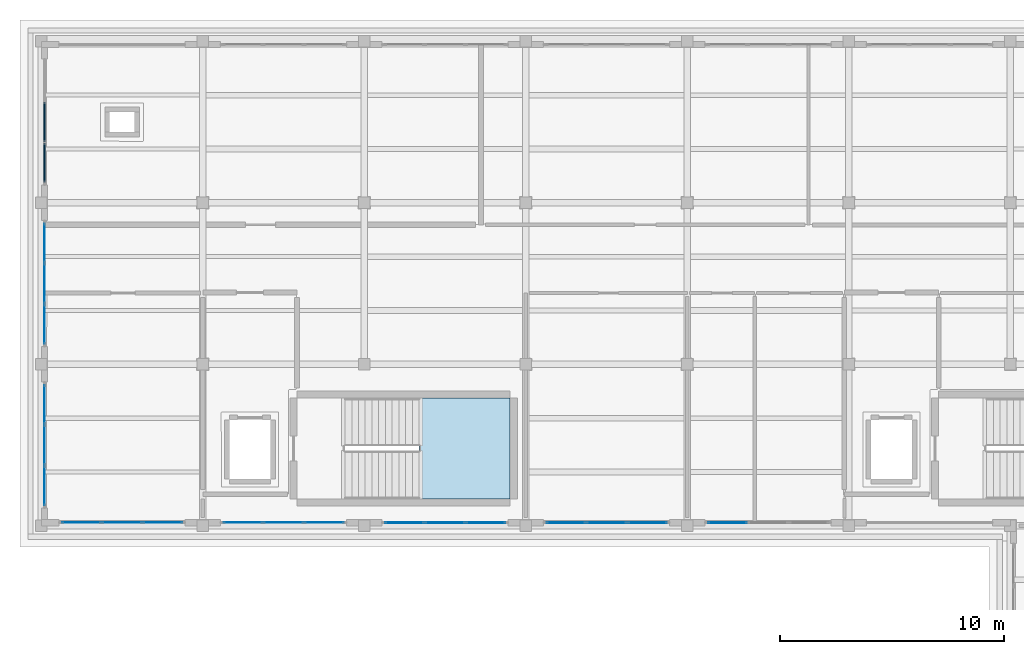
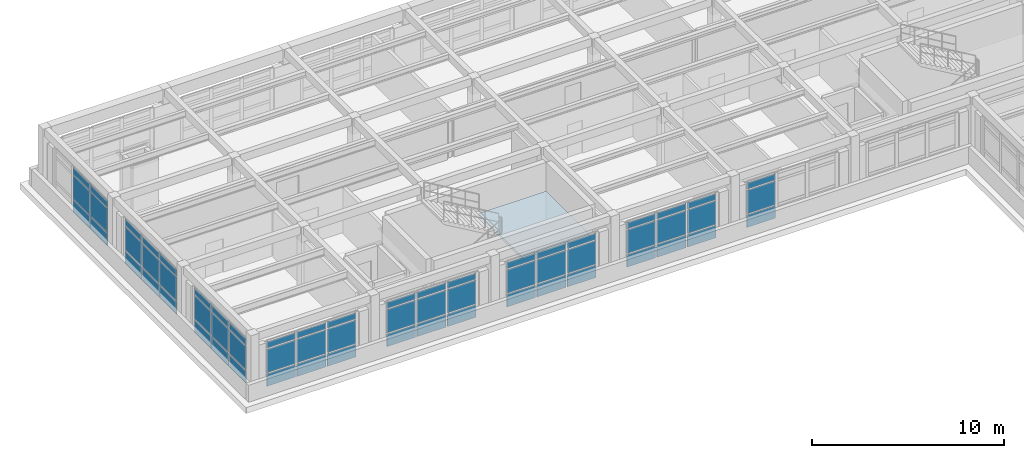
# One storey, part 10 of 18: 63 plates, 1 slab, 9 elements without a shape of their own.
"""IFC4 building model written with IfcOpenShell, lengths in metres."""

from ifc_helpers import new_model, si_unit, direction, frame, origin, origin_2d, place, context, subcontext, project, spatial, polyline, rectangle, outline, extrude, material, layer, layer_set, type_object, element, aggregate, save


model = new_model("IFC4")

# Units and contexts
model_context = context("Model", 3, precision=1e-05, world=origin(), true_north=direction((0.0, 1.0)))
body_context = subcontext(model_context, "Body", "Model", "MODEL_VIEW")
ifc_project = project(units=[si_unit("LENGTHUNIT", "METRE"), si_unit("AREAUNIT", "SQUARE_METRE"), si_unit("VOLUMEUNIT", "CUBIC_METRE"), si_unit("PLANEANGLEUNIT", "RADIAN"), si_unit("MASSUNIT", "GRAM", prefix="KILO")], contexts=[model_context])

# Site, building, storey
site_placement = place(None, origin())
site = spatial("IfcSite", under=ifc_project, at=site_placement, CompositionType="ELEMENT")
building_placement = place(site_placement, origin())
building = spatial("IfcBuilding", under=site, at=building_placement, Name="Solenvale Faculty of Natural Sciences", CompositionType="ELEMENT")
storey_placement = place(building_placement, frame((0.0, 0.0, 43.800048828125)))
storey = spatial("IfcBuildingStorey", under=building, at=storey_placement, Name="L10", CompositionType="ELEMENT", Elevation=43.800048828125)

# Curtain wall, plates
ifc_material_1 = material(Name="Anodised bronze aluminium", Category="aluminium")
ifc_layer_1 = layer(ifc_material_1, 0.179931640625)
ifc_layer_set_1 = layer_set([ifc_layer_1], Name="Anodised bronze aluminium")
curtain_wall_type = type_object("IfcCurtainWallType", Name="CW-TWR-MOD", PredefinedType="USERDEFINED", material=ifc_layer_set_1)
curtain_wall_1_placement = place(storey_placement, origin())
curtain_wall_1 = element("IfcCurtainWall", 1, at=curtain_wall_1_placement, inside=storey, type_object=curtain_wall_type, Name="L10 Curtain Wall CW-L10-P1-E3-B2", ObjectType="UNITISED CURTAIN WALL", PredefinedType="USERDEFINED")
ifc_material_2 = material(Name="North-light skylight glass", Category="glass")
ifc_layer_2 = layer(ifc_material_2, 0.028076171875)
ifc_layer_set_2 = layer_set([ifc_layer_2], Name="North-light skylight glass")
plate_type_1 = type_object("IfcPlateType", Name="CWP-PNL-28", PredefinedType="CURTAIN_PANEL", material=ifc_layer_set_2)
plate_1_placement = place(storey_placement, frame((93.742431640625, 106.214599609375, 0.074951171875), z_axis=(0.0, 0.0, 1.0), x_axis=(0.0, -1.0, 0.0)))
plate_1 = element("IfcPlate", 2, at=plate_1_placement, type_object=plate_type_1, Name="CW-04 panel 1.1", PredefinedType="CURTAIN_PANEL", context=body_context, shape_type="SweptSolid", body=[
    extrude(rectangle(XDim=1.720947265625, YDim=0.028076171875, at=origin_2d()), origin(), (0.0, 0.0, 1.0), 0.78759765625),
])
plate_2_placement = place(storey_placement, frame((93.742431640625, 106.214599609375, 0.9375), z_axis=(0.0, 0.0, 1.0), x_axis=(0.0, -1.0, 0.0)))
plate_2 = element("IfcPlate", 3, at=plate_2_placement, type_object=plate_type_1, Name="CW-04 panel 1.2", PredefinedType="CURTAIN_PANEL", context=body_context, shape_type="SweptSolid", body=[
    extrude(rectangle(XDim=1.720947265625, YDim=0.028076171875, at=origin_2d()), origin(), (0.0, 0.0, 1.0), 1.485107421875),
])
plate_3_placement = place(storey_placement, frame((93.742431640625, 106.214599609375, 2.49755859375), z_axis=(0.0, 0.0, 1.0), x_axis=(0.0, -1.0, 0.0)))
plate_3 = element("IfcPlate", 4, at=plate_3_placement, type_object=plate_type_1, Name="CW-04 panel 1.3", PredefinedType="CURTAIN_PANEL", context=body_context, shape_type="SweptSolid", body=[
    extrude(rectangle(XDim=1.720947265625, YDim=0.028076171875, at=origin_2d()), origin(), (0.0, 0.0, 1.0), 0.387451171875),
])
plate_4_placement = place(storey_placement, frame((93.742431640625, 104.39990234375, 0.074951171875), z_axis=(0.0, 0.0, 1.0), x_axis=(0.0, -1.0, 0.0)))
plate_4 = element("IfcPlate", 5, at=plate_4_placement, type_object=plate_type_1, Name="CW-04 panel 2.1", PredefinedType="CURTAIN_PANEL", context=body_context, shape_type="SweptSolid", body=[
    extrude(rectangle(XDim=1.75830078125, YDim=0.028076171875, at=origin_2d()), origin(), (0.0, 0.0, 1.0), 0.78759765625),
])
plate_5_placement = place(storey_placement, frame((93.742431640625, 104.39990234375, 0.9375), z_axis=(0.0, 0.0, 1.0), x_axis=(0.0, -1.0, 0.0)))
plate_5 = element("IfcPlate", 6, at=plate_5_placement, type_object=plate_type_1, Name="CW-04 panel 2.2", PredefinedType="CURTAIN_PANEL", context=body_context, shape_type="SweptSolid", body=[
    extrude(rectangle(XDim=1.75830078125, YDim=0.028076171875, at=origin_2d()), origin(), (0.0, 0.0, 1.0), 1.485107421875),
])
plate_6_placement = place(storey_placement, frame((93.742431640625, 104.39990234375, 2.49755859375), z_axis=(0.0, 0.0, 1.0), x_axis=(0.0, -1.0, 0.0)))
plate_6 = element("IfcPlate", 7, at=plate_6_placement, type_object=plate_type_1, Name="CW-04 panel 2.3", PredefinedType="CURTAIN_PANEL", context=body_context, shape_type="SweptSolid", body=[
    extrude(rectangle(XDim=1.75830078125, YDim=0.028076171875, at=origin_2d()), origin(), (0.0, 0.0, 1.0), 0.387451171875),
])
plate_7_placement = place(storey_placement, frame((93.742431640625, 102.58544921875, 0.074951171875), z_axis=(0.0, 0.0, 1.0), x_axis=(0.0, -1.0, 0.0)))
plate_7 = element("IfcPlate", 8, at=plate_7_placement, type_object=plate_type_1, Name="CW-04 panel 3.1", PredefinedType="CURTAIN_PANEL", context=body_context, shape_type="SweptSolid", body=[
    extrude(rectangle(XDim=1.720947265625, YDim=0.028076171875, at=origin_2d()), origin(), (0.0, 0.0, 1.0), 0.78759765625),
])
plate_8_placement = place(storey_placement, frame((93.742431640625, 102.58544921875, 0.9375), z_axis=(0.0, 0.0, 1.0), x_axis=(0.0, -1.0, 0.0)))
plate_8 = element("IfcPlate", 9, at=plate_8_placement, type_object=plate_type_1, Name="CW-04 panel 3.2", PredefinedType="CURTAIN_PANEL", context=body_context, shape_type="SweptSolid", body=[
    extrude(rectangle(XDim=1.720947265625, YDim=0.028076171875, at=origin_2d()), origin(), (0.0, 0.0, 1.0), 1.485107421875),
])
plate_9_placement = place(storey_placement, frame((93.742431640625, 102.58544921875, 2.49755859375), z_axis=(0.0, 0.0, 1.0), x_axis=(0.0, -1.0, 0.0)))
plate_9 = element("IfcPlate", 10, at=plate_9_placement, type_object=plate_type_1, Name="CW-04 panel 3.3", PredefinedType="CURTAIN_PANEL", context=body_context, shape_type="SweptSolid", body=[
    extrude(rectangle(XDim=1.720947265625, YDim=0.028076171875, at=origin_2d()), origin(), (0.0, 0.0, 1.0), 0.387451171875),
])
aggregate(curtain_wall_1, [plate_1, plate_2, plate_3, plate_4, plate_5, plate_6, plate_7, plate_8, plate_9])

curtain_wall_2_placement = place(storey_placement, origin())
curtain_wall_2 = element("IfcCurtainWall", 11, at=curtain_wall_2_placement, inside=storey, type_object=curtain_wall_type, Name="L10 Curtain Wall CW-L10-P1-E4-B1", ObjectType="UNITISED CURTAIN WALL", PredefinedType="USERDEFINED")
plate_10_placement = place(storey_placement, frame((95.385498046875, 93.742431640625, 0.074951171875), z_axis=(0.0, 0.0, 1.0), x_axis=(1.0, 0.0, 0.0)))
plate_10 = element("IfcPlate", 12, at=plate_10_placement, type_object=plate_type_1, Name="CW-04 panel 1.1", PredefinedType="CURTAIN_PANEL", context=body_context, shape_type="SweptSolid", body=[
    extrude(rectangle(XDim=1.720947265625, YDim=0.028076171875, at=origin_2d()), origin(), (0.0, 0.0, 1.0), 0.78759765625),
])
plate_11_placement = place(storey_placement, frame((95.385498046875, 93.742431640625, 0.9375), z_axis=(0.0, 0.0, 1.0), x_axis=(1.0, 0.0, 0.0)))
plate_11 = element("IfcPlate", 13, at=plate_11_placement, type_object=plate_type_1, Name="CW-04 panel 1.2", PredefinedType="CURTAIN_PANEL", context=body_context, shape_type="SweptSolid", body=[
    extrude(rectangle(XDim=1.720947265625, YDim=0.028076171875, at=origin_2d()), origin(), (0.0, 0.0, 1.0), 1.485107421875),
])
plate_12_placement = place(storey_placement, frame((95.385498046875, 93.742431640625, 2.49755859375), z_axis=(0.0, 0.0, 1.0), x_axis=(1.0, 0.0, 0.0)))
plate_12 = element("IfcPlate", 14, at=plate_12_placement, type_object=plate_type_1, Name="CW-04 panel 1.3", PredefinedType="CURTAIN_PANEL", context=body_context, shape_type="SweptSolid", body=[
    extrude(rectangle(XDim=1.720947265625, YDim=0.028076171875, at=origin_2d()), origin(), (0.0, 0.0, 1.0), 0.387451171875),
])
plate_13_placement = place(storey_placement, frame((97.199951171875, 93.742431640625, 0.074951171875), z_axis=(0.0, 0.0, 1.0), x_axis=(1.0, 0.0, 0.0)))
plate_13 = element("IfcPlate", 15, at=plate_13_placement, type_object=plate_type_1, Name="CW-04 panel 2.1", PredefinedType="CURTAIN_PANEL", context=body_context, shape_type="SweptSolid", body=[
    extrude(rectangle(XDim=1.75830078125, YDim=0.028076171875, at=origin_2d()), origin(), (0.0, 0.0, 1.0), 0.78759765625),
])
plate_14_placement = place(storey_placement, frame((97.199951171875, 93.742431640625, 0.9375), z_axis=(0.0, 0.0, 1.0), x_axis=(1.0, 0.0, 0.0)))
plate_14 = element("IfcPlate", 16, at=plate_14_placement, type_object=plate_type_1, Name="CW-04 panel 2.2", PredefinedType="CURTAIN_PANEL", context=body_context, shape_type="SweptSolid", body=[
    extrude(rectangle(XDim=1.75830078125, YDim=0.028076171875, at=origin_2d()), origin(), (0.0, 0.0, 1.0), 1.485107421875),
])
plate_15_placement = place(storey_placement, frame((97.199951171875, 93.742431640625, 2.49755859375), z_axis=(0.0, 0.0, 1.0), x_axis=(1.0, 0.0, 0.0)))
plate_15 = element("IfcPlate", 17, at=plate_15_placement, type_object=plate_type_1, Name="CW-04 panel 2.3", PredefinedType="CURTAIN_PANEL", context=body_context, shape_type="SweptSolid", body=[
    extrude(rectangle(XDim=1.75830078125, YDim=0.028076171875, at=origin_2d()), origin(), (0.0, 0.0, 1.0), 0.387451171875),
])
plate_16_placement = place(storey_placement, frame((99.0146484375, 93.742431640625, 0.074951171875), z_axis=(0.0, 0.0, 1.0), x_axis=(1.0, 0.0, 0.0)))
plate_16 = element("IfcPlate", 18, at=plate_16_placement, type_object=plate_type_1, Name="CW-04 panel 3.1", PredefinedType="CURTAIN_PANEL", context=body_context, shape_type="SweptSolid", body=[
    extrude(rectangle(XDim=1.720947265625, YDim=0.028076171875, at=origin_2d()), origin(), (0.0, 0.0, 1.0), 0.78759765625),
])
plate_17_placement = place(storey_placement, frame((99.0146484375, 93.742431640625, 0.9375), z_axis=(0.0, 0.0, 1.0), x_axis=(1.0, 0.0, 0.0)))
plate_17 = element("IfcPlate", 19, at=plate_17_placement, type_object=plate_type_1, Name="CW-04 panel 3.2", PredefinedType="CURTAIN_PANEL", context=body_context, shape_type="SweptSolid", body=[
    extrude(rectangle(XDim=1.720947265625, YDim=0.028076171875, at=origin_2d()), origin(), (0.0, 0.0, 1.0), 1.485107421875),
])
plate_18_placement = place(storey_placement, frame((99.0146484375, 93.742431640625, 2.49755859375), z_axis=(0.0, 0.0, 1.0), x_axis=(1.0, 0.0, 0.0)))
plate_18 = element("IfcPlate", 20, at=plate_18_placement, type_object=plate_type_1, Name="CW-04 panel 3.3", PredefinedType="CURTAIN_PANEL", context=body_context, shape_type="SweptSolid", body=[
    extrude(rectangle(XDim=1.720947265625, YDim=0.028076171875, at=origin_2d()), origin(), (0.0, 0.0, 1.0), 0.387451171875),
])
aggregate(curtain_wall_2, [plate_10, plate_11, plate_12, plate_13, plate_14, plate_15, plate_16, plate_17, plate_18])

curtain_wall_3_placement = place(storey_placement, origin())
curtain_wall_3 = element("IfcCurtainWall", 21, at=curtain_wall_3_placement, inside=storey, type_object=curtain_wall_type, Name="L10 Curtain Wall CW-L10-P1-E3-B3", ObjectType="UNITISED CURTAIN WALL", PredefinedType="USERDEFINED")
ifc_material_3 = material(Name="Triple low-E insulated glass", Category="glass")
ifc_layer_3 = layer(ifc_material_3, 0.031982421875)
ifc_layer_set_3 = layer_set([ifc_layer_3], Name="Triple low-E insulated glass")
plate_type_2 = type_object("IfcPlateType", Name="CWP-PNL-32", PredefinedType="CURTAIN_PANEL", material=ifc_layer_set_3)
plate_19_placement = place(storey_placement, frame((93.742431640625, 99.0146484375, 0.074951171875), z_axis=(0.0, 0.0, 1.0), x_axis=(0.0, -1.0, 0.0)))
plate_19 = element("IfcPlate", 22, at=plate_19_placement, type_object=plate_type_2, Name="CW-04 panel 1.1", PredefinedType="CURTAIN_PANEL", context=body_context, shape_type="SweptSolid", body=[
    extrude(rectangle(XDim=1.720947265625, YDim=0.031982421875, at=origin_2d()), origin(), (0.0, 0.0, 1.0), 0.78759765625),
])
plate_20_placement = place(storey_placement, frame((93.742431640625, 99.0146484375, 0.9375), z_axis=(0.0, 0.0, 1.0), x_axis=(0.0, -1.0, 0.0)))
plate_20 = element("IfcPlate", 23, at=plate_20_placement, type_object=plate_type_2, Name="CW-04 panel 1.2", PredefinedType="CURTAIN_PANEL", context=body_context, shape_type="SweptSolid", body=[
    extrude(rectangle(XDim=1.720947265625, YDim=0.031982421875, at=origin_2d()), origin(), (0.0, 0.0, 1.0), 1.485107421875),
])
plate_21_placement = place(storey_placement, frame((93.742431640625, 99.0146484375, 2.49755859375), z_axis=(0.0, 0.0, 1.0), x_axis=(0.0, -1.0, 0.0)))
plate_21 = element("IfcPlate", 24, at=plate_21_placement, type_object=plate_type_2, Name="CW-04 panel 1.3", PredefinedType="CURTAIN_PANEL", context=body_context, shape_type="SweptSolid", body=[
    extrude(rectangle(XDim=1.720947265625, YDim=0.031982421875, at=origin_2d()), origin(), (0.0, 0.0, 1.0), 0.387451171875),
])
plate_22_placement = place(storey_placement, frame((93.742431640625, 97.199951171875, 0.074951171875), z_axis=(0.0, 0.0, 1.0), x_axis=(0.0, -1.0, 0.0)))
plate_22 = element("IfcPlate", 25, at=plate_22_placement, type_object=plate_type_2, Name="CW-04 panel 2.1", PredefinedType="CURTAIN_PANEL", context=body_context, shape_type="SweptSolid", body=[
    extrude(rectangle(XDim=1.75830078125, YDim=0.031982421875, at=origin_2d()), origin(), (0.0, 0.0, 1.0), 0.78759765625),
])
plate_23_placement = place(storey_placement, frame((93.742431640625, 97.199951171875, 0.9375), z_axis=(0.0, 0.0, 1.0), x_axis=(0.0, -1.0, 0.0)))
plate_23 = element("IfcPlate", 26, at=plate_23_placement, type_object=plate_type_2, Name="CW-04 panel 2.2", PredefinedType="CURTAIN_PANEL", context=body_context, shape_type="SweptSolid", body=[
    extrude(rectangle(XDim=1.75830078125, YDim=0.031982421875, at=origin_2d()), origin(), (0.0, 0.0, 1.0), 1.485107421875),
])
plate_24_placement = place(storey_placement, frame((93.742431640625, 97.199951171875, 2.49755859375), z_axis=(0.0, 0.0, 1.0), x_axis=(0.0, -1.0, 0.0)))
plate_24 = element("IfcPlate", 27, at=plate_24_placement, type_object=plate_type_2, Name="CW-04 panel 2.3", PredefinedType="CURTAIN_PANEL", context=body_context, shape_type="SweptSolid", body=[
    extrude(rectangle(XDim=1.75830078125, YDim=0.031982421875, at=origin_2d()), origin(), (0.0, 0.0, 1.0), 0.387451171875),
])
plate_25_placement = place(storey_placement, frame((93.742431640625, 95.385498046875, 0.074951171875), z_axis=(0.0, 0.0, 1.0), x_axis=(0.0, -1.0, 0.0)))
plate_25 = element("IfcPlate", 28, at=plate_25_placement, type_object=plate_type_2, Name="CW-04 panel 3.1", PredefinedType="CURTAIN_PANEL", context=body_context, shape_type="SweptSolid", body=[
    extrude(rectangle(XDim=1.720947265625, YDim=0.031982421875, at=origin_2d()), origin(), (0.0, 0.0, 1.0), 0.78759765625),
])
plate_26_placement = place(storey_placement, frame((93.742431640625, 95.385498046875, 0.9375), z_axis=(0.0, 0.0, 1.0), x_axis=(0.0, -1.0, 0.0)))
plate_26 = element("IfcPlate", 29, at=plate_26_placement, type_object=plate_type_2, Name="CW-04 panel 3.2", PredefinedType="CURTAIN_PANEL", context=body_context, shape_type="SweptSolid", body=[
    extrude(rectangle(XDim=1.720947265625, YDim=0.031982421875, at=origin_2d()), origin(), (0.0, 0.0, 1.0), 1.485107421875),
])
plate_27_placement = place(storey_placement, frame((93.742431640625, 95.385498046875, 2.49755859375), z_axis=(0.0, 0.0, 1.0), x_axis=(0.0, -1.0, 0.0)))
plate_27 = element("IfcPlate", 30, at=plate_27_placement, type_object=plate_type_2, Name="CW-04 panel 3.3", PredefinedType="CURTAIN_PANEL", context=body_context, shape_type="SweptSolid", body=[
    extrude(rectangle(XDim=1.720947265625, YDim=0.031982421875, at=origin_2d()), origin(), (0.0, 0.0, 1.0), 0.387451171875),
])
aggregate(curtain_wall_3, [plate_19, plate_20, plate_21, plate_22, plate_23, plate_24, plate_25, plate_26, plate_27])

curtain_wall_4_placement = place(storey_placement, origin())
curtain_wall_4 = element("IfcCurtainWall", 31, at=curtain_wall_4_placement, inside=storey, type_object=curtain_wall_type, Name="L10 Curtain Wall CW-L10-P1-E4-B2", ObjectType="UNITISED CURTAIN WALL", PredefinedType="USERDEFINED")
plate_28_placement = place(storey_placement, frame((102.58544921875, 93.742431640625, 0.074951171875), z_axis=(0.0, 0.0, 1.0), x_axis=(1.0, 0.0, 0.0)))
plate_28 = element("IfcPlate", 32, at=plate_28_placement, type_object=plate_type_2, Name="CW-04 panel 1.1", PredefinedType="CURTAIN_PANEL", context=body_context, shape_type="SweptSolid", body=[
    extrude(rectangle(XDim=1.720947265625, YDim=0.031982421875, at=origin_2d()), origin(), (0.0, 0.0, 1.0), 0.78759765625),
])
plate_29_placement = place(storey_placement, frame((102.58544921875, 93.742431640625, 0.9375), z_axis=(0.0, 0.0, 1.0), x_axis=(1.0, 0.0, 0.0)))
plate_29 = element("IfcPlate", 33, at=plate_29_placement, type_object=plate_type_2, Name="CW-04 panel 1.2", PredefinedType="CURTAIN_PANEL", context=body_context, shape_type="SweptSolid", body=[
    extrude(rectangle(XDim=1.720947265625, YDim=0.031982421875, at=origin_2d()), origin(), (0.0, 0.0, 1.0), 1.485107421875),
])
plate_30_placement = place(storey_placement, frame((102.58544921875, 93.742431640625, 2.49755859375), z_axis=(0.0, 0.0, 1.0), x_axis=(1.0, 0.0, 0.0)))
plate_30 = element("IfcPlate", 34, at=plate_30_placement, type_object=plate_type_2, Name="CW-04 panel 1.3", PredefinedType="CURTAIN_PANEL", context=body_context, shape_type="SweptSolid", body=[
    extrude(rectangle(XDim=1.720947265625, YDim=0.031982421875, at=origin_2d()), origin(), (0.0, 0.0, 1.0), 0.387451171875),
])
plate_31_placement = place(storey_placement, frame((104.39990234375, 93.742431640625, 0.074951171875), z_axis=(0.0, 0.0, 1.0), x_axis=(1.0, 0.0, 0.0)))
plate_31 = element("IfcPlate", 35, at=plate_31_placement, type_object=plate_type_2, Name="CW-04 panel 2.1", PredefinedType="CURTAIN_PANEL", context=body_context, shape_type="SweptSolid", body=[
    extrude(rectangle(XDim=1.75830078125, YDim=0.031982421875, at=origin_2d()), origin(), (0.0, 0.0, 1.0), 0.78759765625),
])
plate_32_placement = place(storey_placement, frame((104.39990234375, 93.742431640625, 0.9375), z_axis=(0.0, 0.0, 1.0), x_axis=(1.0, 0.0, 0.0)))
plate_32 = element("IfcPlate", 36, at=plate_32_placement, type_object=plate_type_2, Name="CW-04 panel 2.2", PredefinedType="CURTAIN_PANEL", context=body_context, shape_type="SweptSolid", body=[
    extrude(rectangle(XDim=1.75830078125, YDim=0.031982421875, at=origin_2d()), origin(), (0.0, 0.0, 1.0), 1.485107421875),
])
plate_33_placement = place(storey_placement, frame((104.39990234375, 93.742431640625, 2.49755859375), z_axis=(0.0, 0.0, 1.0), x_axis=(1.0, 0.0, 0.0)))
plate_33 = element("IfcPlate", 37, at=plate_33_placement, type_object=plate_type_2, Name="CW-04 panel 2.3", PredefinedType="CURTAIN_PANEL", context=body_context, shape_type="SweptSolid", body=[
    extrude(rectangle(XDim=1.75830078125, YDim=0.031982421875, at=origin_2d()), origin(), (0.0, 0.0, 1.0), 0.387451171875),
])
plate_34_placement = place(storey_placement, frame((106.214599609375, 93.742431640625, 0.074951171875), z_axis=(0.0, 0.0, 1.0), x_axis=(1.0, 0.0, 0.0)))
plate_34 = element("IfcPlate", 38, at=plate_34_placement, type_object=plate_type_2, Name="CW-04 panel 3.1", PredefinedType="CURTAIN_PANEL", context=body_context, shape_type="SweptSolid", body=[
    extrude(rectangle(XDim=1.720947265625, YDim=0.031982421875, at=origin_2d()), origin(), (0.0, 0.0, 1.0), 0.78759765625),
])
plate_35_placement = place(storey_placement, frame((106.214599609375, 93.742431640625, 0.9375), z_axis=(0.0, 0.0, 1.0), x_axis=(1.0, 0.0, 0.0)))
plate_35 = element("IfcPlate", 39, at=plate_35_placement, type_object=plate_type_2, Name="CW-04 panel 3.2", PredefinedType="CURTAIN_PANEL", context=body_context, shape_type="SweptSolid", body=[
    extrude(rectangle(XDim=1.720947265625, YDim=0.031982421875, at=origin_2d()), origin(), (0.0, 0.0, 1.0), 1.485107421875),
])
plate_36_placement = place(storey_placement, frame((106.214599609375, 93.742431640625, 2.49755859375), z_axis=(0.0, 0.0, 1.0), x_axis=(1.0, 0.0, 0.0)))
plate_36 = element("IfcPlate", 40, at=plate_36_placement, type_object=plate_type_2, Name="CW-04 panel 3.3", PredefinedType="CURTAIN_PANEL", context=body_context, shape_type="SweptSolid", body=[
    extrude(rectangle(XDim=1.720947265625, YDim=0.031982421875, at=origin_2d()), origin(), (0.0, 0.0, 1.0), 0.387451171875),
])
aggregate(curtain_wall_4, [plate_28, plate_29, plate_30, plate_31, plate_32, plate_33, plate_34, plate_35, plate_36])

curtain_wall_5_placement = place(storey_placement, origin())
curtain_wall_5 = element("IfcCurtainWall", 41, at=curtain_wall_5_placement, inside=storey, type_object=curtain_wall_type, Name="L10 Curtain Wall CW-L10-P1-E4-B3", ObjectType="UNITISED CURTAIN WALL", PredefinedType="USERDEFINED")
ifc_layer_4 = layer(ifc_material_3, 0.035888671875)
ifc_layer_set_4 = layer_set([ifc_layer_4], Name="Triple low-E insulated glass")
plate_type_3 = type_object("IfcPlateType", Name="CWP-PNL-36", PredefinedType="CURTAIN_PANEL", material=ifc_layer_set_4)
plate_37_placement = place(storey_placement, frame((109.785400390625, 93.742431640625, 0.074951171875), z_axis=(0.0, 0.0, 1.0), x_axis=(1.0, 0.0, 0.0)))
plate_37 = element("IfcPlate", 42, at=plate_37_placement, type_object=plate_type_3, Name="CW-04 panel 1.1", PredefinedType="CURTAIN_PANEL", context=body_context, shape_type="SweptSolid", body=[
    extrude(rectangle(XDim=1.720947265625, YDim=0.035888671875, at=origin_2d()), origin(), (0.0, 0.0, 1.0), 0.78759765625),
])
plate_38_placement = place(storey_placement, frame((109.785400390625, 93.742431640625, 0.9375), z_axis=(0.0, 0.0, 1.0), x_axis=(1.0, 0.0, 0.0)))
plate_38 = element("IfcPlate", 43, at=plate_38_placement, type_object=plate_type_3, Name="CW-04 panel 1.2", PredefinedType="CURTAIN_PANEL", context=body_context, shape_type="SweptSolid", body=[
    extrude(rectangle(XDim=1.720947265625, YDim=0.035888671875, at=origin_2d()), origin(), (0.0, 0.0, 1.0), 1.485107421875),
])
plate_39_placement = place(storey_placement, frame((109.785400390625, 93.742431640625, 2.49755859375), z_axis=(0.0, 0.0, 1.0), x_axis=(1.0, 0.0, 0.0)))
plate_39 = element("IfcPlate", 44, at=plate_39_placement, type_object=plate_type_3, Name="CW-04 panel 1.3", PredefinedType="CURTAIN_PANEL", context=body_context, shape_type="SweptSolid", body=[
    extrude(rectangle(XDim=1.720947265625, YDim=0.035888671875, at=origin_2d()), origin(), (0.0, 0.0, 1.0), 0.387451171875),
])
plate_40_placement = place(storey_placement, frame((111.60009765625, 93.742431640625, 0.074951171875), z_axis=(0.0, 0.0, 1.0), x_axis=(1.0, 0.0, 0.0)))
plate_40 = element("IfcPlate", 45, at=plate_40_placement, type_object=plate_type_3, Name="CW-04 panel 2.1", PredefinedType="CURTAIN_PANEL", context=body_context, shape_type="SweptSolid", body=[
    extrude(rectangle(XDim=1.75830078125, YDim=0.035888671875, at=origin_2d()), origin(), (0.0, 0.0, 1.0), 0.78759765625),
])
plate_41_placement = place(storey_placement, frame((111.60009765625, 93.742431640625, 0.9375), z_axis=(0.0, 0.0, 1.0), x_axis=(1.0, 0.0, 0.0)))
plate_41 = element("IfcPlate", 46, at=plate_41_placement, type_object=plate_type_3, Name="CW-04 panel 2.2", PredefinedType="CURTAIN_PANEL", context=body_context, shape_type="SweptSolid", body=[
    extrude(rectangle(XDim=1.75830078125, YDim=0.035888671875, at=origin_2d()), origin(), (0.0, 0.0, 1.0), 1.485107421875),
])
plate_42_placement = place(storey_placement, frame((111.60009765625, 93.742431640625, 2.49755859375), z_axis=(0.0, 0.0, 1.0), x_axis=(1.0, 0.0, 0.0)))
plate_42 = element("IfcPlate", 47, at=plate_42_placement, type_object=plate_type_3, Name="CW-04 panel 2.3", PredefinedType="CURTAIN_PANEL", context=body_context, shape_type="SweptSolid", body=[
    extrude(rectangle(XDim=1.75830078125, YDim=0.035888671875, at=origin_2d()), origin(), (0.0, 0.0, 1.0), 0.387451171875),
])
plate_43_placement = place(storey_placement, frame((113.41455078125, 93.742431640625, 0.074951171875), z_axis=(0.0, 0.0, 1.0), x_axis=(1.0, 0.0, 0.0)))
plate_43 = element("IfcPlate", 48, at=plate_43_placement, type_object=plate_type_3, Name="CW-04 panel 3.1", PredefinedType="CURTAIN_PANEL", context=body_context, shape_type="SweptSolid", body=[
    extrude(rectangle(XDim=1.720947265625, YDim=0.035888671875, at=origin_2d()), origin(), (0.0, 0.0, 1.0), 0.78759765625),
])
plate_44_placement = place(storey_placement, frame((113.41455078125, 93.742431640625, 0.9375), z_axis=(0.0, 0.0, 1.0), x_axis=(1.0, 0.0, 0.0)))
plate_44 = element("IfcPlate", 49, at=plate_44_placement, type_object=plate_type_3, Name="CW-04 panel 3.2", PredefinedType="CURTAIN_PANEL", context=body_context, shape_type="SweptSolid", body=[
    extrude(rectangle(XDim=1.720947265625, YDim=0.035888671875, at=origin_2d()), origin(), (0.0, 0.0, 1.0), 1.485107421875),
])
plate_45_placement = place(storey_placement, frame((113.41455078125, 93.742431640625, 2.49755859375), z_axis=(0.0, 0.0, 1.0), x_axis=(1.0, 0.0, 0.0)))
plate_45 = element("IfcPlate", 50, at=plate_45_placement, type_object=plate_type_3, Name="CW-04 panel 3.3", PredefinedType="CURTAIN_PANEL", context=body_context, shape_type="SweptSolid", body=[
    extrude(rectangle(XDim=1.720947265625, YDim=0.035888671875, at=origin_2d()), origin(), (0.0, 0.0, 1.0), 0.387451171875),
])
aggregate(curtain_wall_5, [plate_37, plate_38, plate_39, plate_40, plate_41, plate_42, plate_43, plate_44, plate_45])

curtain_wall_6_placement = place(storey_placement, origin())
curtain_wall_6 = element("IfcCurtainWall", 51, at=curtain_wall_6_placement, inside=storey, type_object=curtain_wall_type, Name="L10 Curtain Wall CW-L10-P1-E4-B4", ObjectType="UNITISED CURTAIN WALL", PredefinedType="USERDEFINED")
ifc_layer_5 = layer(ifc_material_3, 0.0400390625)
ifc_layer_set_5 = layer_set([ifc_layer_5], Name="Triple low-E insulated glass")
plate_type_4 = type_object("IfcPlateType", Name="CWP-PNL-40", PredefinedType="CURTAIN_PANEL", material=ifc_layer_set_5)
plate_46_placement = place(storey_placement, frame((116.9853515625, 93.742431640625, 0.074951171875), z_axis=(0.0, 0.0, 1.0), x_axis=(1.0, 0.0, 0.0)))
plate_46 = element("IfcPlate", 52, at=plate_46_placement, type_object=plate_type_4, Name="CW-04 panel 1.1", PredefinedType="CURTAIN_PANEL", context=body_context, shape_type="SweptSolid", body=[
    extrude(rectangle(XDim=1.720947265625, YDim=0.0400390625, at=origin_2d()), origin(), (0.0, 0.0, 1.0), 0.78759765625),
])
plate_47_placement = place(storey_placement, frame((116.9853515625, 93.742431640625, 0.9375), z_axis=(0.0, 0.0, 1.0), x_axis=(1.0, 0.0, 0.0)))
plate_47 = element("IfcPlate", 53, at=plate_47_placement, type_object=plate_type_4, Name="CW-04 panel 1.2", PredefinedType="CURTAIN_PANEL", context=body_context, shape_type="SweptSolid", body=[
    extrude(rectangle(XDim=1.720947265625, YDim=0.0400390625, at=origin_2d()), origin(), (0.0, 0.0, 1.0), 1.485107421875),
])
plate_48_placement = place(storey_placement, frame((116.9853515625, 93.742431640625, 2.49755859375), z_axis=(0.0, 0.0, 1.0), x_axis=(1.0, 0.0, 0.0)))
plate_48 = element("IfcPlate", 54, at=plate_48_placement, type_object=plate_type_4, Name="CW-04 panel 1.3", PredefinedType="CURTAIN_PANEL", context=body_context, shape_type="SweptSolid", body=[
    extrude(rectangle(XDim=1.720947265625, YDim=0.0400390625, at=origin_2d()), origin(), (0.0, 0.0, 1.0), 0.387451171875),
])
plate_49_placement = place(storey_placement, frame((118.800048828125, 93.742431640625, 0.074951171875), z_axis=(0.0, 0.0, 1.0), x_axis=(1.0, 0.0, 0.0)))
plate_49 = element("IfcPlate", 55, at=plate_49_placement, type_object=plate_type_4, Name="CW-04 panel 2.1", PredefinedType="CURTAIN_PANEL", context=body_context, shape_type="SweptSolid", body=[
    extrude(rectangle(XDim=1.75830078125, YDim=0.0400390625, at=origin_2d()), origin(), (0.0, 0.0, 1.0), 0.78759765625),
])
plate_50_placement = place(storey_placement, frame((118.800048828125, 93.742431640625, 0.9375), z_axis=(0.0, 0.0, 1.0), x_axis=(1.0, 0.0, 0.0)))
plate_50 = element("IfcPlate", 56, at=plate_50_placement, type_object=plate_type_4, Name="CW-04 panel 2.2", PredefinedType="CURTAIN_PANEL", context=body_context, shape_type="SweptSolid", body=[
    extrude(rectangle(XDim=1.75830078125, YDim=0.0400390625, at=origin_2d()), origin(), (0.0, 0.0, 1.0), 1.485107421875),
])
plate_51_placement = place(storey_placement, frame((118.800048828125, 93.742431640625, 2.49755859375), z_axis=(0.0, 0.0, 1.0), x_axis=(1.0, 0.0, 0.0)))
plate_51 = element("IfcPlate", 57, at=plate_51_placement, type_object=plate_type_4, Name="CW-04 panel 2.3", PredefinedType="CURTAIN_PANEL", context=body_context, shape_type="SweptSolid", body=[
    extrude(rectangle(XDim=1.75830078125, YDim=0.0400390625, at=origin_2d()), origin(), (0.0, 0.0, 1.0), 0.387451171875),
])
plate_52_placement = place(storey_placement, frame((120.614501953125, 93.742431640625, 0.074951171875), z_axis=(0.0, 0.0, 1.0), x_axis=(1.0, 0.0, 0.0)))
plate_52 = element("IfcPlate", 58, at=plate_52_placement, type_object=plate_type_4, Name="CW-04 panel 3.1", PredefinedType="CURTAIN_PANEL", context=body_context, shape_type="SweptSolid", body=[
    extrude(rectangle(XDim=1.720947265625, YDim=0.0400390625, at=origin_2d()), origin(), (0.0, 0.0, 1.0), 0.78759765625),
])
plate_53_placement = place(storey_placement, frame((120.614501953125, 93.742431640625, 0.9375), z_axis=(0.0, 0.0, 1.0), x_axis=(1.0, 0.0, 0.0)))
plate_53 = element("IfcPlate", 59, at=plate_53_placement, type_object=plate_type_4, Name="CW-04 panel 3.2", PredefinedType="CURTAIN_PANEL", context=body_context, shape_type="SweptSolid", body=[
    extrude(rectangle(XDim=1.720947265625, YDim=0.0400390625, at=origin_2d()), origin(), (0.0, 0.0, 1.0), 1.485107421875),
])
plate_54_placement = place(storey_placement, frame((120.614501953125, 93.742431640625, 2.49755859375), z_axis=(0.0, 0.0, 1.0), x_axis=(1.0, 0.0, 0.0)))
plate_54 = element("IfcPlate", 60, at=plate_54_placement, type_object=plate_type_4, Name="CW-04 panel 3.3", PredefinedType="CURTAIN_PANEL", context=body_context, shape_type="SweptSolid", body=[
    extrude(rectangle(XDim=1.720947265625, YDim=0.0400390625, at=origin_2d()), origin(), (0.0, 0.0, 1.0), 0.387451171875),
])
aggregate(curtain_wall_6, [plate_46, plate_47, plate_48, plate_49, plate_50, plate_51, plate_52, plate_53, plate_54])

curtain_wall_7_placement = place(storey_placement, origin())
curtain_wall_7 = element("IfcCurtainWall", 61, at=curtain_wall_7_placement, inside=storey, type_object=curtain_wall_type, Name="L10 Curtain Wall CW-L10-P1-E4-B5", ObjectType="UNITISED CURTAIN WALL", PredefinedType="USERDEFINED")
ifc_layer_6 = layer(ifc_material_3, 0.0439453125)
ifc_layer_set_6 = layer_set([ifc_layer_6], Name="Triple low-E insulated glass")
plate_type_5 = type_object("IfcPlateType", Name="CWP-PNL-44", PredefinedType="CURTAIN_PANEL", material=ifc_layer_set_6)
plate_55_placement = place(storey_placement, frame((124.185302734375, 93.742431640625, 0.074951171875), z_axis=(0.0, 0.0, 1.0), x_axis=(1.0, 0.0, 0.0)))
plate_55 = element("IfcPlate", 62, at=plate_55_placement, type_object=plate_type_5, Name="CW-04 panel 1.1", PredefinedType="CURTAIN_PANEL", context=body_context, shape_type="SweptSolid", body=[
    extrude(rectangle(XDim=1.720947265625, YDim=0.0439453125, at=origin_2d()), origin(), (0.0, 0.0, 1.0), 0.78759765625),
])
plate_56_placement = place(storey_placement, frame((124.185302734375, 93.742431640625, 0.9375), z_axis=(0.0, 0.0, 1.0), x_axis=(1.0, 0.0, 0.0)))
plate_56 = element("IfcPlate", 63, at=plate_56_placement, type_object=plate_type_5, Name="CW-04 panel 1.2", PredefinedType="CURTAIN_PANEL", context=body_context, shape_type="SweptSolid", body=[
    extrude(rectangle(XDim=1.720947265625, YDim=0.0439453125, at=origin_2d()), origin(), (0.0, 0.0, 1.0), 1.485107421875),
])
plate_57_placement = place(storey_placement, frame((124.185302734375, 93.742431640625, 2.49755859375), z_axis=(0.0, 0.0, 1.0), x_axis=(1.0, 0.0, 0.0)))
plate_57 = element("IfcPlate", 64, at=plate_57_placement, type_object=plate_type_5, Name="CW-04 panel 1.3", PredefinedType="CURTAIN_PANEL", context=body_context, shape_type="SweptSolid", body=[
    extrude(rectangle(XDim=1.720947265625, YDim=0.0439453125, at=origin_2d()), origin(), (0.0, 0.0, 1.0), 0.387451171875),
])
aggregate(curtain_wall_7, [plate_55, plate_56, plate_57])

curtain_wall_8_placement = place(storey_placement, origin())
curtain_wall_8 = element("IfcCurtainWall", 65, at=curtain_wall_8_placement, inside=storey, type_object=curtain_wall_type, Name="L10 Curtain Wall CW-L10-P1-E3-B1", ObjectType="UNITISED CURTAIN WALL", PredefinedType="USERDEFINED")
ifc_layer_7 = layer(ifc_material_1, 0.06005859375)
ifc_layer_set_7 = layer_set([ifc_layer_7], Name="Anodised bronze aluminium")
plate_type_6 = type_object("IfcPlateType", Name="CWP-PNL-60", PredefinedType="CURTAIN_PANEL", material=ifc_layer_set_7)
plate_58_placement = place(storey_placement, frame((93.742431640625, 111.60009765625, 0.074951171875), z_axis=(0.0, 0.0, 1.0), x_axis=(0.0, -1.0, 0.0)))
plate_58 = element("IfcPlate", 66, at=plate_58_placement, type_object=plate_type_6, Name="CW-04 panel 2.1", PredefinedType="CURTAIN_PANEL", context=body_context, shape_type="SweptSolid", body=[
    extrude(rectangle(XDim=1.75830078125, YDim=0.06005859375, at=origin_2d()), origin(), (0.0, 0.0, 1.0), 0.78759765625),
])
plate_59_placement = place(storey_placement, frame((93.742431640625, 111.60009765625, 0.9375), z_axis=(0.0, 0.0, 1.0), x_axis=(0.0, -1.0, 0.0)))
plate_59 = element("IfcPlate", 67, at=plate_59_placement, type_object=plate_type_6, Name="CW-04 panel 2.2", PredefinedType="CURTAIN_PANEL", context=body_context, shape_type="SweptSolid", body=[
    extrude(rectangle(XDim=1.75830078125, YDim=0.06005859375, at=origin_2d()), origin(), (0.0, 0.0, 1.0), 1.485107421875),
])
plate_60_placement = place(storey_placement, frame((93.742431640625, 111.60009765625, 2.49755859375), z_axis=(0.0, 0.0, 1.0), x_axis=(0.0, -1.0, 0.0)))
plate_60 = element("IfcPlate", 68, at=plate_60_placement, type_object=plate_type_6, Name="CW-04 panel 2.3", PredefinedType="CURTAIN_PANEL", context=body_context, shape_type="SweptSolid", body=[
    extrude(rectangle(XDim=1.75830078125, YDim=0.06005859375, at=origin_2d()), origin(), (0.0, 0.0, 1.0), 0.387451171875),
])
plate_61_placement = place(storey_placement, frame((93.742431640625, 109.785400390625, 0.074951171875), z_axis=(0.0, 0.0, 1.0), x_axis=(0.0, -1.0, 0.0)))
plate_61 = element("IfcPlate", 69, at=plate_61_placement, type_object=plate_type_6, Name="CW-04 panel 3.1", PredefinedType="CURTAIN_PANEL", context=body_context, shape_type="SweptSolid", body=[
    extrude(rectangle(XDim=1.720947265625, YDim=0.06005859375, at=origin_2d()), origin(), (0.0, 0.0, 1.0), 0.78759765625),
])
plate_62_placement = place(storey_placement, frame((93.742431640625, 109.785400390625, 0.9375), z_axis=(0.0, 0.0, 1.0), x_axis=(0.0, -1.0, 0.0)))
plate_62 = element("IfcPlate", 70, at=plate_62_placement, type_object=plate_type_6, Name="CW-04 panel 3.2", PredefinedType="CURTAIN_PANEL", context=body_context, shape_type="SweptSolid", body=[
    extrude(rectangle(XDim=1.720947265625, YDim=0.06005859375, at=origin_2d()), origin(), (0.0, 0.0, 1.0), 1.485107421875),
])
plate_63_placement = place(storey_placement, frame((93.742431640625, 109.785400390625, 2.49755859375), z_axis=(0.0, 0.0, 1.0), x_axis=(0.0, -1.0, 0.0)))
plate_63 = element("IfcPlate", 71, at=plate_63_placement, type_object=plate_type_6, Name="CW-04 panel 3.3", PredefinedType="CURTAIN_PANEL", context=body_context, shape_type="SweptSolid", body=[
    extrude(rectangle(XDim=1.720947265625, YDim=0.06005859375, at=origin_2d()), origin(), (0.0, 0.0, 1.0), 0.387451171875),
])
aggregate(curtain_wall_8, [plate_58, plate_59, plate_60, plate_61, plate_62, plate_63])

# Stair, slab
ifc_material_4 = material(Name="Concrete 40 MPa", Category="concrete")
stair_type = type_object("IfcStairType", Name="STR-CORE-25R", PredefinedType="DOUBLE_RETURN_STAIR", material=ifc_material_4)
stair_placement = place(storey_placement, origin())
stair = element("IfcStair", 72, at=stair_placement, inside=storey, type_object=stair_type, Name="L10 Protected Exit Stair ST-04", PredefinedType="DOUBLE_RETURN_STAIR")
ifc_layer_8 = layer(ifc_material_4, 0.195068359375)
ifc_layer_set_8 = layer_set([ifc_layer_8], Name="Concrete 40 MPa")
slab_type = type_object("IfcSlabType", Name="SL-LND-195", PredefinedType="LANDING", material=ifc_layer_set_8)
slab_placement = place(storey_placement, frame((0.0, 0.0, 1.89990234375)))
slab = element("IfcSlab", 73, at=slab_placement, type_object=slab_type, Name="ST-04 landing 1", PredefinedType="LANDING", context=body_context, shape_type="SweptSolid", body=[
    extrude(outline(polyline([(110.43994140625, 94.800048828125), (114.5, 94.800048828125), (114.5, 99.300048828125), (110.43994140625, 99.300048828125), (110.43994140625, 94.800048828125)])), origin(), (0.0, 0.0, 1.0), 0.199951171875),
])
aggregate(stair, [slab])

save(model, "model.ifc")
